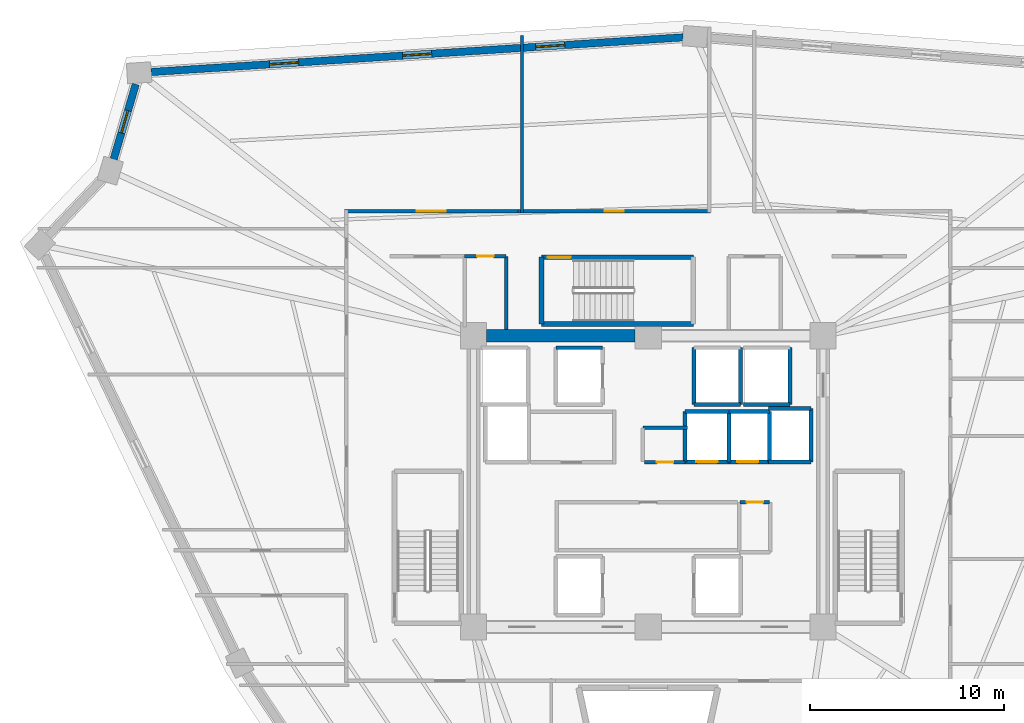
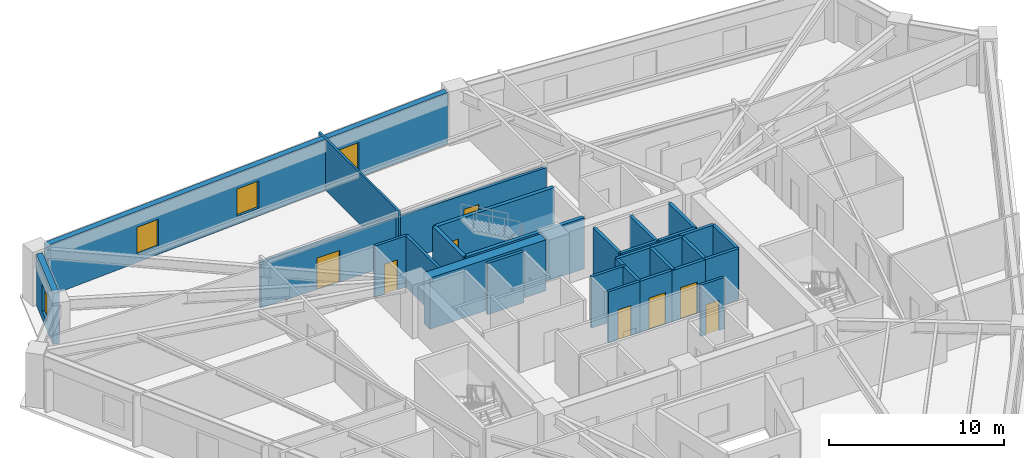
# One storey, part 5 of 8: 30 walls, 8 doors, 4 windows, 12 openings.
"""IFC4 building model written with IfcOpenShell, lengths in metres."""

from ifc_helpers import new_model, si_unit, direction, frame, frame_2d, origin, place, context, subcontext, project, spatial, rectangle, extrude, source, transform, mapped, material, layer, layer_set, type_object, element, fill, save


model = new_model("IFC4")

# Units and contexts
model_context = context("Model", 3, precision=1e-05, world=origin(), true_north=direction((0.0, 1.0)))
body_context = subcontext(model_context, "Body", "Model", "MODEL_VIEW")
ifc_project = project(units=[si_unit("LENGTHUNIT", "METRE"), si_unit("AREAUNIT", "SQUARE_METRE"), si_unit("VOLUMEUNIT", "CUBIC_METRE"), si_unit("PLANEANGLEUNIT", "RADIAN"), si_unit("MASSUNIT", "GRAM", prefix="KILO")], contexts=[model_context])

# Site, building, storey
site_placement = place(None, origin())
site = spatial("IfcSite", under=ifc_project, at=site_placement, CompositionType="ELEMENT")
building_placement = place(site_placement, origin())
building = spatial("IfcBuilding", under=site, at=building_placement, Name="Liaohun Quay Tower", CompositionType="ELEMENT")
storey_placement = place(building_placement, frame((0.0, 0.0, 270.0)))
storey = spatial("IfcBuildingStorey", under=building, at=storey_placement, Name="L70", CompositionType="ELEMENT", Elevation=270.0)

# Wall
ifc_material_1 = material(Name="Concrete C55", Category="concrete")
ifc_layer_1 = layer(ifc_material_1, 0.64990234375, Name="Concrete C55", Category="concrete")
ifc_layer_set_1 = layer_set([ifc_layer_1], Name="Concrete C55")
wall_type_1 = type_object("IfcWallType", Name="WAL-COR-Z3", PredefinedType="SHEAR", material=ifc_layer_set_1)
wall_1_placement = place(storey_placement, frame((51.675048828125, 61.5, 0.0), z_axis=(0.0, 0.0, 1.0), x_axis=(1.0, 0.0, 0.0)))
element("IfcWall", 1, at=wall_1_placement, inside=storey, type_object=wall_type_1, Name="L70 Central Core Shear Wall N-W", PredefinedType="SHEAR", context=body_context, shape_type="SweptSolid", body=[
    extrude(rectangle(XDim=7.64990234375, YDim=0.64990234375, at=frame_2d((3.824951171875, 0.0))), origin(), (0.0, 0.0, 1.0), 3.570068359375),
])

# Wall, openings, windows
ifc_material_2 = material(Name="Precast concrete C50 insulated sandwich", Category="concrete")
ifc_layer_2 = layer(ifc_material_2, 0.3798828125, Name="Precast concrete C50 insulated sandwich", Category="concrete")
ifc_layer_set_2 = layer_set([ifc_layer_2], Name="Precast concrete C50 insulated sandwich")
wall_type_2 = type_object("IfcWallType", Name="WAL-EXT-Z34", PredefinedType="SOLIDWALL", material=ifc_layer_set_2)
wall_2_placement = place(storey_placement, frame((61.798095703125, 76.85888671875, 0.0), z_axis=(0.0, 0.0, 1.0), x_axis=(-0.997879704208, -0.065085297335, 0.0)))
wall_2 = element("IfcWall", 2, at=wall_2_placement, inside=storey, type_object=wall_type_2, Name="L70 Brutalist Precast Pier Wall 07", PredefinedType="SOLIDWALL", context=body_context, shape_type="SweptSolid", body=[
    extrude(rectangle(XDim=27.4541015625, YDim=0.3798828125, at=frame_2d((13.72705078125, 0.0))), origin(), (0.0, 0.0, 1.0), 3.570068359375),
])
shared_shape_1 = source(origin(), body_context, "Body", "SweptSolid", [
    extrude(rectangle(XDim=1.5, YDim=1.89990234375, at=frame_2d((0.75, 0.949951171875))), frame((0.0, 0.199951171875, 0.0), z_axis=(0.0, -1.0, 0.0), x_axis=(1.0, 0.0, 0.0)), (0.0, 0.0, 1.0), 0.39990234375),
])
opening_1_placement = place(wall_2_placement, frame((6.114013671875, 0.0, 0.550048828125)))
opening_1 = element("IfcOpeningElement", 3, at=opening_1_placement, cuts=wall_2, Name="Opening W03", PredefinedType="OPENING", context=body_context, shape_type="MappedRepresentation", body=[
    mapped(shared_shape_1, transform((0.0, 0.0, 0.0), x_axis=(1.0, 0.0, 0.0), y_axis=(0.0, 1.0, 0.0), z_axis=(0.0, 0.0, 1.0), scale=1.0)),
])
opening_2_placement = place(wall_2_placement, frame((12.97705078125, 0.0, 0.550048828125)))
opening_2 = element("IfcOpeningElement", 4, at=opening_2_placement, cuts=wall_2, Name="Opening W03", PredefinedType="OPENING", context=body_context, shape_type="MappedRepresentation", body=[
    mapped(shared_shape_1, transform((0.0, 0.0, 0.0), x_axis=(1.0, 0.0, 0.0), y_axis=(0.0, 1.0, 0.0), z_axis=(0.0, 0.0, 1.0), scale=1.0)),
])
opening_3_placement = place(wall_2_placement, frame((19.841064453125, 0.0, 0.550048828125)))
opening_3 = element("IfcOpeningElement", 5, at=opening_3_placement, cuts=wall_2, Name="Opening W03", PredefinedType="OPENING", context=body_context, shape_type="MappedRepresentation", body=[
    mapped(shared_shape_1, transform((0.0, 0.0, 0.0), x_axis=(1.0, 0.0, 0.0), y_axis=(0.0, 1.0, 0.0), z_axis=(0.0, 0.0, 1.0), scale=1.0)),
])
ifc_material_3 = material(Name="Triple Low-E argon glazing in thermally broken aluminium", Category="aluminium")
window_type_1 = type_object("IfcWindowType", Name="WIN-PUN-Z3", PartitioningType="DOUBLE_PANEL_VERTICAL", PredefinedType="WINDOW", material=ifc_material_3)
shared_shape_2 = source(origin(), body_context, "Body", "SweptSolid", [
    extrude(rectangle(XDim=1.5, YDim=1.89990234375, at=frame_2d((0.75, 0.949951171875))), frame((0.0, 0.030029296875, 0.0), z_axis=(0.0, -1.0, 0.0), x_axis=(1.0, 0.0, 0.0)), (0.0, 0.0, 1.0), 0.06005859375),
])
window_1_placement = place(opening_1_placement, origin())
window_1 = element("IfcWindow", 6, at=window_1_placement, inside=storey, type_object=window_type_1, Name="L70 Recessed Cold-Climate Punched Window 07-1", OverallHeight=1.89990234375, OverallWidth=1.5, PartitioningType="DOUBLE_PANEL_VERTICAL", PredefinedType="WINDOW", context=body_context, shape_type="MappedRepresentation", body=[
    mapped(shared_shape_2, transform((0.0, 0.0, 0.0), x_axis=(1.0, 0.0, 0.0), y_axis=(0.0, 1.0, 0.0), z_axis=(0.0, 0.0, 1.0), scale=1.0)),
])
fill(opening_1, window_1)
window_2_placement = place(opening_2_placement, origin())
window_2 = element("IfcWindow", 7, at=window_2_placement, inside=storey, type_object=window_type_1, Name="L70 Recessed Cold-Climate Punched Window 07-2", OverallHeight=1.89990234375, OverallWidth=1.5, PartitioningType="DOUBLE_PANEL_VERTICAL", PredefinedType="WINDOW", context=body_context, shape_type="MappedRepresentation", body=[
    mapped(shared_shape_2, transform((0.0, 0.0, 0.0), x_axis=(1.0, 0.0, 0.0), y_axis=(0.0, 1.0, 0.0), z_axis=(0.0, 0.0, 1.0), scale=1.0)),
])
fill(opening_2, window_2)
window_3_placement = place(opening_3_placement, origin())
window_3 = element("IfcWindow", 8, at=window_3_placement, inside=storey, type_object=window_type_1, Name="L70 Recessed Cold-Climate Punched Window 07-3", OverallHeight=1.89990234375, OverallWidth=1.5, PartitioningType="DOUBLE_PANEL_VERTICAL", PredefinedType="WINDOW", context=body_context, shape_type="MappedRepresentation", body=[
    mapped(shared_shape_2, transform((0.0, 0.0, 0.0), x_axis=(1.0, 0.0, 0.0), y_axis=(0.0, 1.0, 0.0), z_axis=(0.0, 0.0, 1.0), scale=1.0)),
])
fill(opening_3, window_3)

# Wall, opening, window
wall_3_placement = place(storey_placement, frame((33.614013671875, 74.44189453125, 0.0), z_axis=(0.0, 0.0, 1.0), x_axis=(-0.28278049645, -0.959184648974, 0.0)))
wall_3 = element("IfcWall", 9, at=wall_3_placement, inside=storey, type_object=wall_type_2, Name="L70 Brutalist Precast Pier Wall 08", PredefinedType="SOLIDWALL", context=body_context, shape_type="SweptSolid", body=[
    extrude(rectangle(XDim=4.024169921875, YDim=0.3798828125, at=frame_2d((2.01220703125, 0.0))), origin(), (0.0, 0.0, 1.0), 3.570068359375),
])
shared_shape_3 = source(origin(), body_context, "Body", "SweptSolid", [
    extrude(rectangle(XDim=1.199951171875, YDim=1.89990234375, at=frame_2d((0.60009765625, 0.949951171875))), frame((0.0, 0.199951171875, 0.0), z_axis=(0.0, -1.0, 0.0), x_axis=(1.0, 0.0, 0.0)), (0.0, 0.0, 1.0), 0.39990234375),
])
opening_4_placement = place(wall_3_placement, frame((1.412109375, 0.0, 0.550048828125)))
opening_4 = element("IfcOpeningElement", 10, at=opening_4_placement, cuts=wall_3, Name="Opening W05", PredefinedType="OPENING", context=body_context, shape_type="MappedRepresentation", body=[
    mapped(shared_shape_3, transform((0.0, 0.0, 0.0), x_axis=(1.0, 0.0, 0.0), y_axis=(0.0, 1.0, 0.0), z_axis=(0.0, 0.0, 1.0), scale=1.0)),
])
ifc_material_4 = material(Name="Triple Low-E corner notch glazing", Category="glass")
window_type_2 = type_object("IfcWindowType", Name="WIN-NOTCH", PartitioningType="SINGLE_PANEL", PredefinedType="WINDOW", material=ifc_material_4)
shared_shape_4 = source(origin(), body_context, "Body", "SweptSolid", [
    extrude(rectangle(XDim=1.199951171875, YDim=1.89990234375, at=frame_2d((0.60009765625, 0.949951171875))), frame((0.0, 0.030029296875, 0.0), z_axis=(0.0, -1.0, 0.0), x_axis=(1.0, 0.0, 0.0)), (0.0, 0.0, 1.0), 0.06005859375),
])
window_4_placement = place(opening_4_placement, origin())
window_4 = element("IfcWindow", 11, at=window_4_placement, inside=storey, type_object=window_type_2, Name="L70 Corner Notch Window W05-08", OverallHeight=1.89990234375, OverallWidth=1.199951171875, PartitioningType="SINGLE_PANEL", PredefinedType="WINDOW", context=body_context, shape_type="MappedRepresentation", body=[
    mapped(shared_shape_4, transform((0.0, 0.0, 0.0), x_axis=(1.0, 0.0, 0.0), y_axis=(0.0, 1.0, 0.0), z_axis=(0.0, 0.0, 1.0), scale=1.0)),
])
fill(opening_4, window_4)

# Wall, opening, door
ifc_material_5 = material(Name="Autoclaved aerated concrete blockwork", Category="masonry")
ifc_layer_3 = layer(ifc_material_5, 0.179931640625, Name="Autoclaved aerated concrete blockwork", Category="masonry")
ifc_layer_set_3 = layer_set([ifc_layer_3], Name="Autoclaved aerated concrete blockwork")
wall_type_3 = type_object("IfcWallType", Name="WAL-PRT-COR", PredefinedType="PARTITIONING", material=ifc_layer_set_3)
wall_4_placement = place(storey_placement, frame((59.81005859375, 54.97998046875, 0.0), z_axis=(0.0, 0.0, 1.0), x_axis=(1.0, 0.0, 0.0)))
wall_4 = element("IfcWall", 12, at=wall_4_placement, inside=storey, type_object=wall_type_3, Name="L70 Interior Partition Wall 003", PredefinedType="PARTITIONING", context=body_context, shape_type="SweptSolid", body=[
    extrude(rectangle(XDim=2.08984375, YDim=0.179931640625, at=frame_2d((1.044921875, 0.0))), origin(), (0.0, 0.0, 1.0), 3.570068359375),
])
shared_shape_5 = source(origin(), body_context, "Body", "SweptSolid", [
    extrude(rectangle(XDim=0.85009765625, YDim=2.10009765625, at=frame_2d((0.425048828125, 1.050048828125))), frame((0.0, 0.099853515625, 0.0), z_axis=(0.0, -1.0, 0.0), x_axis=(1.0, 0.0, 0.0)), (0.0, 0.0, 1.0), 0.199951171875),
])
opening_5_placement = place(wall_4_placement, frame((0.635009765625, 0.0, 0.0)))
opening_5 = element("IfcOpeningElement", 13, at=opening_5_placement, cuts=wall_4, Name="Opening AD1", PredefinedType="OPENING", context=body_context, shape_type="MappedRepresentation", body=[
    mapped(shared_shape_5, transform((0.0, 0.0, 0.0), x_axis=(1.0, 0.0, 0.0), y_axis=(0.0, 1.0, 0.0), z_axis=(0.0, 0.0, 1.0), scale=1.0)),
])
ifc_material_6 = material(Name="Steel riser inspection fire door", Category="steel")
door_type_1 = type_object("IfcDoorType", Name="DOR-SHF-850", OperationType="NOTDEFINED", PredefinedType="DOOR", material=ifc_material_6)
shared_shape_6 = source(origin(), body_context, "Body", "SweptSolid", [
    extrude(rectangle(XDim=0.85009765625, YDim=2.10009765625, at=frame_2d((0.425048828125, 1.050048828125))), frame((0.0, 0.02490234375, 0.0), z_axis=(0.0, -1.0, 0.0), x_axis=(1.0, 0.0, 0.0)), (0.0, 0.0, 1.0), 0.050048828125),
])
door_1_placement = place(opening_5_placement, origin())
door_1 = element("IfcDoor", 14, at=door_1_placement, inside=storey, type_object=door_type_1, Name="L70 Electrical Meter Room Door", OperationType="SINGLE_SWING_LEFT", OverallHeight=2.10009765625, OverallWidth=0.85009765625, PredefinedType="DOOR", context=body_context, shape_type="MappedRepresentation", body=[
    mapped(shared_shape_6, transform((0.0, 0.0, 0.0), x_axis=(1.0, 0.0, 0.0), y_axis=(0.0, 1.0, 0.0), z_axis=(0.0, 0.0, 1.0), scale=1.0)),
])
fill(opening_5, door_1)

wall_5_placement = place(storey_placement, frame((64.719970703125, 52.919921875, 0.0), z_axis=(0.0, 0.0, 1.0), x_axis=(1.0, 0.0, 0.0)))
wall_5 = element("IfcWall", 15, at=wall_5_placement, inside=storey, type_object=wall_type_3, Name="L70 Interior Partition Wall 004", PredefinedType="PARTITIONING", context=body_context, shape_type="SweptSolid", body=[
    extrude(rectangle(XDim=1.530029296875, YDim=0.179931640625, at=frame_2d((0.76513671875, 0.0))), origin(), (0.0, 0.0, 1.0), 3.570068359375),
])
opening_6_placement = place(wall_5_placement, frame((0.340087890625, 0.0, 0.0)))
opening_6 = element("IfcOpeningElement", 16, at=opening_6_placement, cuts=wall_5, Name="Opening AD1", PredefinedType="OPENING", context=body_context, shape_type="MappedRepresentation", body=[
    mapped(shared_shape_5, transform((0.0, 0.0, 0.0), x_axis=(1.0, 0.0, 0.0), y_axis=(0.0, 1.0, 0.0), z_axis=(0.0, 0.0, 1.0), scale=1.0)),
])
door_2_placement = place(opening_6_placement, origin())
door_2 = element("IfcDoor", 17, at=door_2_placement, inside=storey, type_object=door_type_1, Name="L70 BMS Data Riser Room Door", OperationType="SINGLE_SWING_RIGHT", OverallHeight=2.10009765625, OverallWidth=0.85009765625, PredefinedType="DOOR", context=body_context, shape_type="MappedRepresentation", body=[
    mapped(shared_shape_6, transform((0.0, 0.0, 0.0), x_axis=(1.0, 0.0, 0.0), y_axis=(0.0, 1.0, 0.0), z_axis=(0.0, 0.0, 1.0), scale=1.0)),
])
fill(opening_6, door_2)

wall_6_placement = place(storey_placement, frame((50.5400390625, 65.580078125, 0.0), z_axis=(0.0, 0.0, 1.0), x_axis=(1.0, 0.0, 0.0)))
wall_6 = element("IfcWall", 18, at=wall_6_placement, inside=storey, type_object=wall_type_3, Name="L70 Interior Partition Wall 008", PredefinedType="PARTITIONING", context=body_context, shape_type="SweptSolid", body=[
    extrude(rectangle(XDim=2.139892578125, YDim=0.179931640625, at=frame_2d((1.06982421875, 0.0))), origin(), (0.0, 0.0, 1.0), 3.570068359375),
])
opening_7_placement = place(wall_6_placement, frame((0.64501953125, 0.0, 0.0)))
opening_7 = element("IfcOpeningElement", 19, at=opening_7_placement, cuts=wall_6, Name="Opening AD1", PredefinedType="OPENING", context=body_context, shape_type="MappedRepresentation", body=[
    mapped(shared_shape_5, transform((0.0, 0.0, 0.0), x_axis=(1.0, 0.0, 0.0), y_axis=(0.0, 1.0, 0.0), z_axis=(0.0, 0.0, 1.0), scale=1.0)),
])
door_3_placement = place(opening_7_placement, origin())
door_3 = element("IfcDoor", 20, at=door_3_placement, inside=storey, type_object=door_type_1, Name="L70 North-West Supply Store Door", OperationType="SINGLE_SWING_RIGHT", OverallHeight=2.10009765625, OverallWidth=0.85009765625, PredefinedType="DOOR", context=body_context, shape_type="MappedRepresentation", body=[
    mapped(shared_shape_6, transform((0.0, 0.0, 0.0), x_axis=(1.0, 0.0, 0.0), y_axis=(0.0, 1.0, 0.0), z_axis=(0.0, 0.0, 1.0), scale=1.0)),
])
fill(opening_7, door_3)

wall_7_placement = place(storey_placement, frame((53.284912109375, 67.909912109375, 0.0), z_axis=(0.0, 0.0, 1.0), x_axis=(1.0, 0.0, 0.0)))
wall_7 = element("IfcWall", 21, at=wall_7_placement, inside=storey, type_object=wall_type_3, Name="L70 Interior Partition Wall 014", PredefinedType="PARTITIONING", context=body_context, shape_type="SweptSolid", body=[
    extrude(rectangle(XDim=9.925048828125, YDim=0.179931640625, at=frame_2d((4.96240234375, 0.0))), origin(), (0.0, 0.0, 1.0), 3.205078125),
])
shared_shape_7 = source(origin(), body_context, "Body", "SweptSolid", [
    extrude(rectangle(XDim=1.0, YDim=2.199951171875, at=frame_2d((0.5, 1.10009765625))), frame((0.0, 0.099853515625, 0.0), z_axis=(0.0, -1.0, 0.0), x_axis=(1.0, 0.0, 0.0)), (0.0, 0.0, 1.0), 0.199951171875),
])
opening_8_placement = place(wall_7_placement, frame((4.462890625, 0.0, 0.0)))
opening_8 = element("IfcOpeningElement", 22, at=opening_8_placement, cuts=wall_7, Name="Opening OD1", PredefinedType="OPENING", context=body_context, shape_type="MappedRepresentation", body=[
    mapped(shared_shape_7, transform((0.0, 0.0, 0.0), x_axis=(1.0, 0.0, 0.0), y_axis=(0.0, 1.0, 0.0), z_axis=(0.0, 0.0, 1.0), scale=1.0)),
])
ifc_material_7 = material(Name="Solid-core oak veneer timber leaf in steel frame", Category="steel")
door_type_2 = type_object("IfcDoorType", Name="DOR-OFF-1000", OperationType="NOTDEFINED", PredefinedType="DOOR", material=ifc_material_7)
shared_shape_8 = source(origin(), body_context, "Body", "SweptSolid", [
    extrude(rectangle(XDim=1.0, YDim=2.199951171875, at=frame_2d((0.5, 1.10009765625))), frame((0.0, 0.02490234375, 0.0), z_axis=(0.0, -1.0, 0.0), x_axis=(1.0, 0.0, 0.0)), (0.0, 0.0, 1.0), 0.050048828125),
])
door_4_placement = place(opening_8_placement, origin())
door_4 = element("IfcDoor", 23, at=door_4_placement, inside=storey, type_object=door_type_2, Name="L70 Digital Prototyping Laboratory 03 Door", OperationType="SINGLE_SWING_RIGHT", OverallHeight=2.199951171875, OverallWidth=1.0, PredefinedType="DOOR", context=body_context, shape_type="MappedRepresentation", body=[
    mapped(shared_shape_8, transform((0.0, 0.0, 0.0), x_axis=(1.0, 0.0, 0.0), y_axis=(0.0, 1.0, 0.0), z_axis=(0.0, 0.0, 1.0), scale=1.0)),
])
fill(opening_8, door_4)

wall_8_placement = place(storey_placement, frame((44.3701171875, 67.909912109375, 0.0), z_axis=(0.0, 0.0, 1.0), x_axis=(1.0, 0.0, 0.0)))
wall_8 = element("IfcWall", 24, at=wall_8_placement, inside=storey, type_object=wall_type_3, Name="L70 Interior Partition Wall 015", PredefinedType="PARTITIONING", context=body_context, shape_type="SweptSolid", body=[
    extrude(rectangle(XDim=8.914794921875, YDim=0.179931640625, at=frame_2d((4.45751953125, 0.0))), origin(), (0.0, 0.0, 1.0), 3.205078125),
])
shared_shape_9 = source(origin(), body_context, "Body", "SweptSolid", [
    extrude(rectangle(XDim=1.5, YDim=2.199951171875, at=frame_2d((0.75, 1.10009765625))), frame((0.0, 0.099853515625, 0.0), z_axis=(0.0, -1.0, 0.0), x_axis=(1.0, 0.0, 0.0)), (0.0, 0.0, 1.0), 0.199951171875),
])
opening_9_placement = place(wall_8_placement, frame((3.70703125, 0.0, 0.0)))
opening_9 = element("IfcOpeningElement", 25, at=opening_9_placement, cuts=wall_8, Name="Opening OD2", PredefinedType="OPENING", context=body_context, shape_type="MappedRepresentation", body=[
    mapped(shared_shape_9, transform((0.0, 0.0, 0.0), x_axis=(1.0, 0.0, 0.0), y_axis=(0.0, 1.0, 0.0), z_axis=(0.0, 0.0, 1.0), scale=1.0)),
])
ifc_material_8 = material(Name="Acoustic oak veneer double door")
door_type_3 = type_object("IfcDoorType", Name="DOR-OFF-1500", OperationType="DOUBLE_DOOR_SINGLE_SWING", PredefinedType="DOOR", material=ifc_material_8)
shared_shape_10 = source(origin(), body_context, "Body", "SweptSolid", [
    extrude(rectangle(XDim=1.5, YDim=2.199951171875, at=frame_2d((0.75, 1.10009765625))), frame((0.0, 0.02490234375, 0.0), z_axis=(0.0, -1.0, 0.0), x_axis=(1.0, 0.0, 0.0)), (0.0, 0.0, 1.0), 0.050048828125),
])
door_5_placement = place(opening_9_placement, origin())
door_5 = element("IfcDoor", 26, at=door_5_placement, inside=storey, type_object=door_type_3, Name="L70 Project Collaboration Studio 04 Door", OperationType="DOUBLE_DOOR_SINGLE_SWING", OverallHeight=2.199951171875, OverallWidth=1.5, PredefinedType="DOOR", context=body_context, shape_type="MappedRepresentation", body=[
    mapped(shared_shape_10, transform((0.0, 0.0, 0.0), x_axis=(1.0, 0.0, 0.0), y_axis=(0.0, 1.0, 0.0), z_axis=(0.0, 0.0, 1.0), scale=1.0)),
])
fill(opening_9, door_5)

# Walls
wall_9_placement = place(storey_placement, frame((59.719970703125, 56.75, 0.0), z_axis=(0.0, 0.0, 1.0), x_axis=(1.0, 0.0, 0.0)))
element("IfcWall", 27, at=wall_9_placement, inside=storey, type_object=wall_type_3, Name="L70 Interior Partition Wall 025", PredefinedType="PARTITIONING", context=body_context, shape_type="SweptSolid", body=[
    extrude(rectangle(XDim=2.2900390625, YDim=0.179931640625, at=frame_2d((1.14501953125, 0.0))), origin(), (0.0, 0.0, 1.0), 3.570068359375),
])
wall_10_placement = place(storey_placement, frame((52.679931640625, 61.824951171875, 0.0), z_axis=(0.0, 0.0, 1.0), x_axis=(0.0, 1.0, 0.0)))
element("IfcWall", 28, at=wall_10_placement, inside=storey, type_object=wall_type_3, Name="L70 Interior Partition Wall 035", PredefinedType="PARTITIONING", context=body_context, shape_type="SweptSolid", body=[
    extrude(rectangle(XDim=3.755126953125, YDim=0.179931640625, at=frame_2d((1.87744140625, 0.0))), origin(), (0.0, 0.0, 1.0), 3.570068359375),
])
ifc_material_9 = material(Name="Gypsum board on twin steel studs", Category="steel")
ifc_layer_4 = layer(ifc_material_9, 0.139892578125, Name="Gypsum board on twin steel studs", Category="steel")
ifc_layer_set_4 = layer_set([ifc_layer_4], Name="Gypsum board on twin steel studs")
wall_type_4 = type_object("IfcWallType", Name="WAL-PRT-OFF", PredefinedType="PARTITIONING", material=ifc_layer_set_4)
wall_11_placement = place(storey_placement, frame((53.5, 67.81005859375, 0.0), z_axis=(0.0, 0.0, 1.0), x_axis=(0.0, 1.0, 0.0)))
element("IfcWall", 29, at=wall_11_placement, inside=storey, type_object=wall_type_4, Name="L70 Interior Partition Wall 056", PredefinedType="PARTITIONING", context=body_context, shape_type="SweptSolid", body=[
    extrude(rectangle(XDim=9.138916015625, YDim=0.139892578125, at=frame_2d((4.5693359375, 0.0))), origin(), (0.0, 0.0, 1.0), 3.570068359375),
])
ifc_material_10 = material(Name="Concrete C50", Category="concrete")
ifc_layer_5 = layer(ifc_material_10, 0.239990234375, Name="Concrete C50", Category="concrete")
ifc_layer_set_5 = layer_set([ifc_layer_5], Name="Concrete C50")
wall_type_5 = type_object("IfcWallType", Name="WAL-SHF-200", PredefinedType="SOLIDWALL", material=ifc_layer_set_5)
wall_12_placement = place(storey_placement, frame((54.5, 62.10009765625, 0.0), z_axis=(0.0, 0.0, 1.0), x_axis=(1.0, 0.0, 0.0)))
element("IfcWall", 30, at=wall_12_placement, inside=storey, type_object=wall_type_5, Name="L70 Stairwell ST-3 Structural Core Wall S", PredefinedType="SOLIDWALL", context=body_context, shape_type="SweptSolid", body=[
    extrude(rectangle(XDim=7.820068359375, YDim=0.239990234375, at=frame_2d((3.91015625, 0.0))), origin(), (0.0, 0.0, 1.0), 3.570068359375),
])

# Wall, opening, door
wall_13_placement = place(storey_placement, frame((62.320068359375, 65.5400390625, 0.0), z_axis=(0.0, 0.0, 1.0), x_axis=(-1.0, 0.0, 0.0)))
wall_13 = element("IfcWall", 31, at=wall_13_placement, inside=storey, type_object=wall_type_5, Name="L70 Stairwell ST-3 Structural Core Wall N", PredefinedType="SOLIDWALL", context=body_context, shape_type="SweptSolid", body=[
    extrude(rectangle(XDim=7.820068359375, YDim=0.239990234375, at=frame_2d((3.91015625, 0.0))), origin(), (0.0, 0.0, 1.0), 3.570068359375),
])
shared_shape_11 = source(origin(), body_context, "Body", "SweptSolid", [
    extrude(rectangle(XDim=1.199951171875, YDim=2.199951171875, at=frame_2d((0.60009765625, 1.10009765625))), frame((0.0, 0.1298828125, 0.0), z_axis=(0.0, -1.0, 0.0), x_axis=(1.0, 0.0, 0.0)), (0.0, 0.0, 1.0), 0.260009765625),
])
opening_10_placement = place(wall_13_placement, frame((6.300048828125, 0.0, 0.0)))
opening_10 = element("IfcOpeningElement", 32, at=opening_10_placement, cuts=wall_13, Name="Opening SD1", PredefinedType="OPENING", context=body_context, shape_type="MappedRepresentation", body=[
    mapped(shared_shape_11, transform((0.0, 0.0, 0.0), x_axis=(1.0, 0.0, 0.0), y_axis=(0.0, 1.0, 0.0), z_axis=(0.0, 0.0, 1.0), scale=1.0)),
])
ifc_material_11 = material(Name="Galvanised steel fire door", Category="steel")
door_type_4 = type_object("IfcDoorType", Name="DOR-STR-1200", OperationType="NOTDEFINED", PredefinedType="DOOR", material=ifc_material_11)
shared_shape_12 = source(origin(), body_context, "Body", "SweptSolid", [
    extrude(rectangle(XDim=1.199951171875, YDim=2.199951171875, at=frame_2d((0.60009765625, 1.10009765625))), frame((0.0, 0.02490234375, 0.0), z_axis=(0.0, -1.0, 0.0), x_axis=(1.0, 0.0, 0.0)), (0.0, 0.0, 1.0), 0.050048828125),
])
door_6_placement = place(opening_10_placement, origin())
door_6 = element("IfcDoor", 33, at=door_6_placement, inside=storey, type_object=door_type_4, Name="L70 Protected Stair ST-3 Fire Door", OperationType="SINGLE_SWING_RIGHT", OverallHeight=2.199951171875, OverallWidth=1.199951171875, PredefinedType="DOOR", context=body_context, shape_type="MappedRepresentation", body=[
    mapped(shared_shape_12, transform((0.0, 0.0, 0.0), x_axis=(1.0, 0.0, 0.0), y_axis=(0.0, 1.0, 0.0), z_axis=(0.0, 0.0, 1.0), scale=1.0)),
])
fill(opening_10, door_6)

# Walls
wall_14_placement = place(storey_placement, frame((54.5, 65.5400390625, 0.0), z_axis=(0.0, 0.0, 1.0), x_axis=(0.0, -1.0, 0.0)))
element("IfcWall", 34, at=wall_14_placement, inside=storey, type_object=wall_type_5, Name="L70 Stairwell ST-3 Structural Core Wall W", PredefinedType="SOLIDWALL", context=body_context, shape_type="SweptSolid", body=[
    extrude(rectangle(XDim=3.43994140625, YDim=0.239990234375, at=frame_2d((1.719970703125, 0.0))), origin(), (0.0, 0.0, 1.0), 3.570068359375),
])
for number, where, z_axis, x_axis, name in (
    (35, (57.64990234375, 60.8798828125, 0.0), (0.0, 0.0, 1.0), (-1.0, 0.0, 0.0), "L70 Lift FF-03 Hoistway Wall N"),
    (36, (62.35009765625, 57.949951171875, 0.0), (0.0, 0.0, 1.0), (1.0, 0.0, 0.0), "L70 Lift OB-01 Hoistway Wall S"),
):
    element("IfcWall", number, at=place(storey_placement, frame(where, z_axis=z_axis, x_axis=x_axis)), inside=storey, type_object=wall_type_5, Name=name, PredefinedType="SOLIDWALL", context=body_context, shape_type="SweptSolid", body=[
        extrude(rectangle(XDim=2.39990234375, YDim=0.199951171875, at=frame_2d((1.199951171875, 0.0))), origin(), (0.0, 0.0, 1.0), 3.570068359375),
    ])
for number, where, z_axis, x_axis, name in (
    (37, (64.75, 57.949951171875, 0.0), (0.0, 0.0, 1.0), (0.0, 1.0, 0.0), "L70 Lift OB-01 Hoistway Wall E"),
    (38, (62.35009765625, 60.8798828125, 0.0), (0.0, 0.0, 1.0), (0.0, -1.0, 0.0), "L70 Lift OB-01 Hoistway Wall W"),
):
    element("IfcWall", number, at=place(storey_placement, frame(where, z_axis=z_axis, x_axis=x_axis)), inside=storey, type_object=wall_type_5, Name=name, PredefinedType="SOLIDWALL", context=body_context, shape_type="SweptSolid", body=[
        extrude(rectangle(XDim=2.929931640625, YDim=0.199951171875, at=frame_2d((1.46484375, 0.0))), origin(), (0.0, 0.0, 1.0), 3.570068359375),
    ])
wall_15_placement = place(storey_placement, frame((64.89990234375, 57.949951171875, 0.0), z_axis=(0.0, 0.0, 1.0), x_axis=(1.0, 0.0, 0.0)))
element("IfcWall", 39, at=wall_15_placement, inside=storey, type_object=wall_type_5, Name="L70 Lift OB-02 Hoistway Wall S", PredefinedType="SOLIDWALL", context=body_context, shape_type="SweptSolid", body=[
    extrude(rectangle(XDim=2.400146484375, YDim=0.199951171875, at=frame_2d((1.2001953125, 0.0))), origin(), (0.0, 0.0, 1.0), 3.570068359375),
])
wall_16_placement = place(storey_placement, frame((67.300048828125, 57.949951171875, 0.0), z_axis=(0.0, 0.0, 1.0), x_axis=(0.0, 1.0, 0.0)))
element("IfcWall", 40, at=wall_16_placement, inside=storey, type_object=wall_type_5, Name="L70 Lift OB-02 Hoistway Wall E", PredefinedType="SOLIDWALL", context=body_context, shape_type="SweptSolid", body=[
    extrude(rectangle(XDim=2.929931640625, YDim=0.199951171875, at=frame_2d((1.46484375, 0.0))), origin(), (0.0, 0.0, 1.0), 3.570068359375),
])
wall_17_placement = place(storey_placement, frame((66.199951171875, 55.0, 0.0), z_axis=(0.0, 0.0, 1.0), x_axis=(1.0, 0.0, 0.0)))
element("IfcWall", 41, at=wall_17_placement, inside=storey, type_object=wall_type_5, Name="L70 Lift SH-03 Hoistway Wall S", PredefinedType="SOLIDWALL", context=body_context, shape_type="SweptSolid", body=[
    extrude(rectangle(XDim=2.179931640625, YDim=0.199951171875, at=frame_2d((1.08984375, 0.0))), origin(), (0.0, 0.0, 1.0), 3.570068359375),
])
wall_18_placement = place(storey_placement, frame((68.3798828125, 55.0, 0.0), z_axis=(0.0, 0.0, 1.0), x_axis=(0.0, 1.0, 0.0)))
element("IfcWall", 42, at=wall_18_placement, inside=storey, type_object=wall_type_5, Name="L70 Lift SH-03 Hoistway Wall E", PredefinedType="SOLIDWALL", context=body_context, shape_type="SweptSolid", body=[
    extrude(rectangle(XDim=2.75, YDim=0.199951171875, at=frame_2d((1.375, 0.0))), origin(), (0.0, 0.0, 1.0), 3.570068359375),
])
wall_19_placement = place(storey_placement, frame((68.3798828125, 57.75, 0.0), z_axis=(0.0, 0.0, 1.0), x_axis=(-1.0, 0.0, 0.0)))
element("IfcWall", 43, at=wall_19_placement, inside=storey, type_object=wall_type_5, Name="L70 Lift SH-03 Hoistway Wall N", PredefinedType="SOLIDWALL", context=body_context, shape_type="SweptSolid", body=[
    extrude(rectangle(XDim=2.179931640625, YDim=0.199951171875, at=frame_2d((1.08984375, 0.0))), origin(), (0.0, 0.0, 1.0), 3.570068359375),
])

# Wall, opening, door
wall_20_placement = place(storey_placement, frame((61.89990234375, 55.0, 0.0), z_axis=(0.0, 0.0, 1.0), x_axis=(1.0, 0.0, 0.0)))
wall_20 = element("IfcWall", 44, at=wall_20_placement, inside=storey, type_object=wall_type_5, Name="L70 Lift PL-3A Hoistway Wall S", PredefinedType="SOLIDWALL", context=body_context, shape_type="SweptSolid", body=[
    extrude(rectangle(XDim=2.25, YDim=0.199951171875, at=frame_2d((1.125, 0.0))), origin(), (0.0, 0.0, 1.0), 3.570068359375),
])
shared_shape_13 = source(origin(), body_context, "Body", "SweptSolid", [
    extrude(rectangle(XDim=1.10009765625, YDim=2.199951171875, at=frame_2d((0.550048828125, 1.10009765625))), frame((0.0, 0.10986328125, 0.0), z_axis=(0.0, -1.0, 0.0), x_axis=(1.0, 0.0, 0.0)), (0.0, 0.0, 1.0), 0.219970703125),
])
opening_11_placement = place(wall_20_placement, frame((0.574951171875, 0.0, 0.0)))
opening_11 = element("IfcOpeningElement", 45, at=opening_11_placement, cuts=wall_20, Name="Opening LD1", PredefinedType="OPENING", context=body_context, shape_type="MappedRepresentation", body=[
    mapped(shared_shape_13, transform((0.0, 0.0, 0.0), x_axis=(1.0, 0.0, 0.0), y_axis=(0.0, 1.0, 0.0), z_axis=(0.0, 0.0, 1.0), scale=1.0)),
])
ifc_material_12 = material(Name="Brushed stainless steel landing door", Category="steel")
door_type_5 = type_object("IfcDoorType", Name="DOR-LFT-1100", OperationType="SLIDING_TO_LEFT", PredefinedType="DOOR", material=ifc_material_12)
shared_shape_14 = source(origin(), body_context, "Body", "SweptSolid", [
    extrude(rectangle(XDim=1.10009765625, YDim=2.199951171875, at=frame_2d((0.550048828125, 1.10009765625))), frame((0.0, 0.02490234375, 0.0), z_axis=(0.0, -1.0, 0.0), x_axis=(1.0, 0.0, 0.0)), (0.0, 0.0, 1.0), 0.050048828125),
])
door_7_placement = place(opening_11_placement, origin())
door_7 = element("IfcDoor", 46, at=door_7_placement, inside=storey, type_object=door_type_5, Name="L70 Lift PL-3A Sliding Landing Door", OperationType="SLIDING_TO_LEFT", OverallHeight=2.199951171875, OverallWidth=1.10009765625, PredefinedType="DOOR", context=body_context, shape_type="MappedRepresentation", body=[
    mapped(shared_shape_14, transform((0.0, 0.0, 0.0), x_axis=(1.0, 0.0, 0.0), y_axis=(0.0, 1.0, 0.0), z_axis=(0.0, 0.0, 1.0), scale=1.0)),
])
fill(opening_11, door_7)

# Walls
wall_21_placement = place(storey_placement, frame((64.14990234375, 55.0, 0.0), z_axis=(0.0, 0.0, 1.0), x_axis=(0.0, 1.0, 0.0)))
element("IfcWall", 47, at=wall_21_placement, inside=storey, type_object=wall_type_5, Name="L70 Lift PL-3A Hoistway Wall E", PredefinedType="SOLIDWALL", context=body_context, shape_type="SweptSolid", body=[
    extrude(rectangle(XDim=2.60009765625, YDim=0.199951171875, at=frame_2d((1.300048828125, 0.0))), origin(), (0.0, 0.0, 1.0), 3.570068359375),
])
wall_22_placement = place(storey_placement, frame((64.14990234375, 57.60009765625, 0.0), z_axis=(0.0, 0.0, 1.0), x_axis=(-1.0, 0.0, 0.0)))
element("IfcWall", 48, at=wall_22_placement, inside=storey, type_object=wall_type_5, Name="L70 Lift PL-3A Hoistway Wall N", PredefinedType="SOLIDWALL", context=body_context, shape_type="SweptSolid", body=[
    extrude(rectangle(XDim=2.25, YDim=0.199951171875, at=frame_2d((1.125, 0.0))), origin(), (0.0, 0.0, 1.0), 3.570068359375),
])
wall_23_placement = place(storey_placement, frame((61.89990234375, 57.60009765625, 0.0), z_axis=(0.0, 0.0, 1.0), x_axis=(0.0, -1.0, 0.0)))
element("IfcWall", 49, at=wall_23_placement, inside=storey, type_object=wall_type_5, Name="L70 Lift PL-3A Hoistway Wall W", PredefinedType="SOLIDWALL", context=body_context, shape_type="SweptSolid", body=[
    extrude(rectangle(XDim=2.60009765625, YDim=0.199951171875, at=frame_2d((1.300048828125, 0.0))), origin(), (0.0, 0.0, 1.0), 3.570068359375),
])

# Wall, opening, door
wall_24_placement = place(storey_placement, frame((64.0, 55.0, 0.0), z_axis=(0.0, 0.0, 1.0), x_axis=(1.0, 0.0, 0.0)))
wall_24 = element("IfcWall", 50, at=wall_24_placement, inside=storey, type_object=wall_type_5, Name="L70 Lift PL-3B Hoistway Wall S", PredefinedType="SOLIDWALL", context=body_context, shape_type="SweptSolid", body=[
    extrude(rectangle(XDim=2.25, YDim=0.199951171875, at=frame_2d((1.125, 0.0))), origin(), (0.0, 0.0, 1.0), 3.570068359375),
])
opening_12_placement = place(wall_24_placement, frame((0.574951171875, 0.0, 0.0)))
opening_12 = element("IfcOpeningElement", 51, at=opening_12_placement, cuts=wall_24, Name="Opening LD1", PredefinedType="OPENING", context=body_context, shape_type="MappedRepresentation", body=[
    mapped(shared_shape_13, transform((0.0, 0.0, 0.0), x_axis=(1.0, 0.0, 0.0), y_axis=(0.0, 1.0, 0.0), z_axis=(0.0, 0.0, 1.0), scale=1.0)),
])
door_8_placement = place(opening_12_placement, origin())
door_8 = element("IfcDoor", 52, at=door_8_placement, inside=storey, type_object=door_type_5, Name="L70 Lift PL-3B Sliding Landing Door", OperationType="SLIDING_TO_LEFT", OverallHeight=2.199951171875, OverallWidth=1.10009765625, PredefinedType="DOOR", context=body_context, shape_type="MappedRepresentation", body=[
    mapped(shared_shape_14, transform((0.0, 0.0, 0.0), x_axis=(1.0, 0.0, 0.0), y_axis=(0.0, 1.0, 0.0), z_axis=(0.0, 0.0, 1.0), scale=1.0)),
])
fill(opening_12, door_8)

# Walls
wall_25_placement = place(storey_placement, frame((66.25, 55.0, 0.0), z_axis=(0.0, 0.0, 1.0), x_axis=(0.0, 1.0, 0.0)))
element("IfcWall", 53, at=wall_25_placement, inside=storey, type_object=wall_type_5, Name="L70 Lift PL-3B Hoistway Wall E", PredefinedType="SOLIDWALL", context=body_context, shape_type="SweptSolid", body=[
    extrude(rectangle(XDim=2.60009765625, YDim=0.199951171875, at=frame_2d((1.300048828125, 0.0))), origin(), (0.0, 0.0, 1.0), 3.570068359375),
])
wall_26_placement = place(storey_placement, frame((66.25, 57.60009765625, 0.0), z_axis=(0.0, 0.0, 1.0), x_axis=(-1.0, 0.0, 0.0)))
element("IfcWall", 54, at=wall_26_placement, inside=storey, type_object=wall_type_5, Name="L70 Lift PL-3B Hoistway Wall N", PredefinedType="SOLIDWALL", context=body_context, shape_type="SweptSolid", body=[
    extrude(rectangle(XDim=2.25, YDim=0.199951171875, at=frame_2d((1.125, 0.0))), origin(), (0.0, 0.0, 1.0), 3.570068359375),
])

save(model, "model.ifc")
